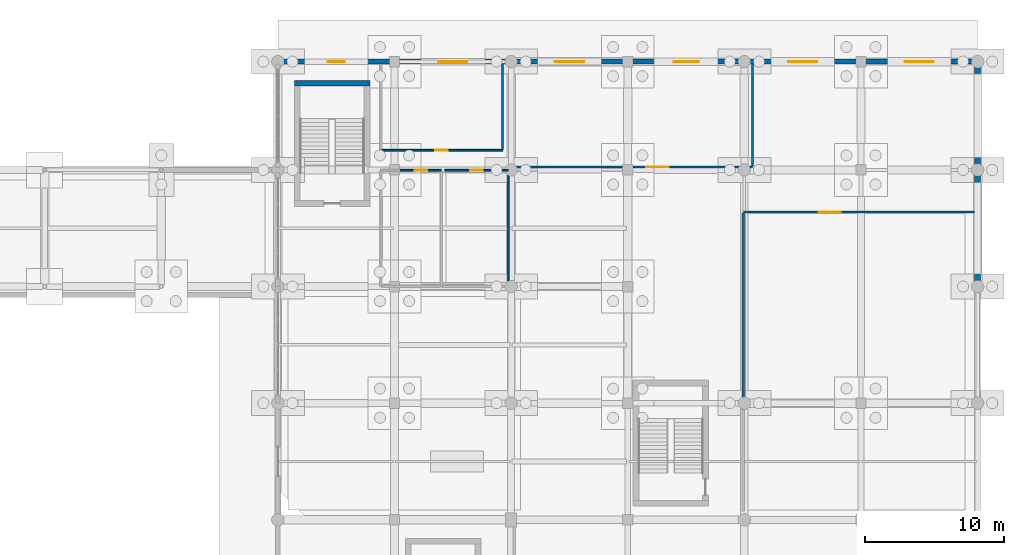
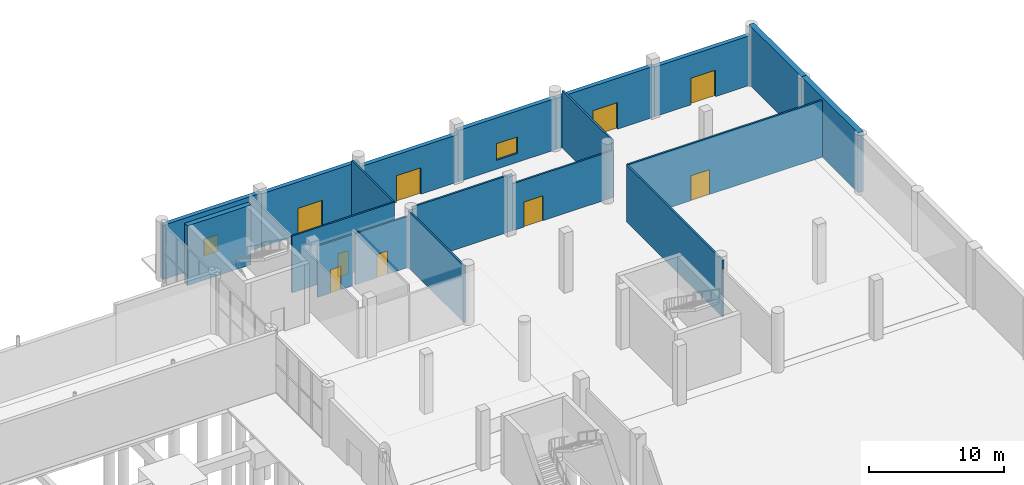
# One storey, part 73 of 82: 19 walls, 9 doors, 2 windows, 11 openings.
"""IFC4 building model written with IfcOpenShell, lengths in metres."""

from ifc_helpers import new_model, si_unit, derived_unit, direction, frame, frame_2d, origin, place, context, subcontext, project, spatial, rectangle, extrude, material, layer, layer_set, type_object, element, fill, save


model = new_model("IFC4")

# Units and contexts
model_context = context("Model", 3, precision=1e-05, world=origin(), true_north=direction((0.0, 1.0)))
body_context = subcontext(model_context, "Body", "Model", "MODEL_VIEW")
ifc_project = project(units=[si_unit("LENGTHUNIT", "METRE"), si_unit("AREAUNIT", "SQUARE_METRE"), si_unit("VOLUMEUNIT", "CUBIC_METRE"), si_unit("PLANEANGLEUNIT", "RADIAN"), si_unit("MASSUNIT", "GRAM", prefix="KILO"), derived_unit("THERMALTRANSMITTANCEUNIT", [(si_unit("POWERUNIT", "WATT"), 1), (si_unit("LENGTHUNIT", "METRE"), -2), (si_unit("THERMODYNAMICTEMPERATUREUNIT", "KELVIN"), -1)])], contexts=[model_context])

# Site, building, storey
site_placement = place(None, origin())
site = spatial("IfcSite", under=ifc_project, at=site_placement, CompositionType="ELEMENT")
building_placement = place(site_placement, origin())
building = spatial("IfcBuilding", under=site, at=building_placement, Name="Barrovel Congress Hotel", CompositionType="ELEMENT")
storey_placement = place(building_placement, origin())
storey = spatial("IfcBuildingStorey", under=building, at=storey_placement, Name="L00", CompositionType="ELEMENT", Elevation=0.0)

# Wall, opening, door
ifc_material_1 = material(Name="Fired Clay Brick Masonry", Category="masonry")
ifc_layer_1 = layer(ifc_material_1, 0.360107421875)
ifc_layer_set_1 = layer_set([ifc_layer_1], Name="Fired Clay Brick Masonry")
wall_type_1 = type_object("IfcWallType", Name="EW-BRK360", PredefinedType="STANDARD", material=ifc_layer_set_1)
wall_1_placement = place(storey_placement, frame((176.39990234375, 112.800048828125, 0.0), z_axis=(0.0, 0.0, 1.0), x_axis=(-1.0, 0.0, 0.0)))
wall_1 = element("IfcWall", 1, at=wall_1_placement, inside=storey, type_object=wall_type_1, Name="EW:L00:V3N:20", PredefinedType="STANDARD", context=body_context, shape_type="SweptSolid", body=[
    extrude(rectangle(XDim=8.39990234375, YDim=0.360107421875, at=frame_2d((4.199951171875, 0.0))), origin(), (0.0, 0.0, 1.0), 4.489990234375),
])
opening_1_placement = place(wall_1_placement, frame((5.25, 0.0, 0.0), z_axis=(0.0, 0.0, 1.0), x_axis=(-1.0, 0.0, 0.0)))
opening_1 = element("IfcOpeningElement", 2, at=opening_1_placement, cuts=wall_1, Name="Opening ED-01", PredefinedType="OPENING", context=body_context, shape_type="SweptSolid", body=[
    extrude(rectangle(XDim=2.10009765625, YDim=2.39990234375, at=frame_2d((1.050048828125, 1.199951171875))), frame((0.0, 0.18994140625, 0.0), z_axis=(0.0, -1.0, 0.0), x_axis=(1.0, 0.0, 0.0)), (0.0, 0.0, 1.0), 0.380126953125),
])
ifc_material_2 = material(Name="Anodised Aluminium Glazed Door", Category="aluminium")
door_type_1 = type_object("IfcDoorType", Name="EDR-ED-01", OperationType="NOTDEFINED", PredefinedType="DOOR", material=ifc_material_2)
door_1_placement = place(opening_1_placement, origin())
door_1 = element("IfcDoor", 3, at=door_1_placement, inside=storey, type_object=door_type_1, Name="Grade Exit Door E-23", OperationType="DOUBLE_DOOR_SINGLE_SWING", OverallHeight=2.39990234375, OverallWidth=2.10009765625, PredefinedType="DOOR", context=body_context, shape_type="SweptSolid", body=[
    extrude(rectangle(XDim=2.10009765625, YDim=2.39990234375, at=frame_2d((1.050048828125, 1.199951171875))), frame((0.0, 0.02490234375, 0.0), z_axis=(0.0, -1.0, 0.0), x_axis=(1.0, 0.0, 0.0)), (0.0, 0.0, 1.0), 0.050048828125),
])
fill(opening_1, door_1)

wall_2_placement = place(storey_placement, frame((168.0, 112.800048828125, 0.0), z_axis=(0.0, 0.0, 1.0), x_axis=(-1.0, 0.0, 0.0)))
wall_2 = element("IfcWall", 4, at=wall_2_placement, inside=storey, type_object=wall_type_1, Name="EW:L00:V3N:19", PredefinedType="STANDARD", context=body_context, shape_type="SweptSolid", body=[
    extrude(rectangle(XDim=8.39990234375, YDim=0.360107421875, at=frame_2d((4.199951171875, 0.0))), origin(), (0.0, 0.0, 1.0), 4.60693359375),
])
opening_2_placement = place(wall_2_placement, frame((5.25, 0.0, 0.0), z_axis=(0.0, 0.0, 1.0), x_axis=(-1.0, 0.0, 0.0)))
opening_2 = element("IfcOpeningElement", 5, at=opening_2_placement, cuts=wall_2, Name="Opening ED-01", PredefinedType="OPENING", context=body_context, shape_type="SweptSolid", body=[
    extrude(rectangle(XDim=2.10009765625, YDim=2.39990234375, at=frame_2d((1.050048828125, 1.199951171875))), frame((0.0, 0.18994140625, 0.0), z_axis=(0.0, -1.0, 0.0), x_axis=(1.0, 0.0, 0.0)), (0.0, 0.0, 1.0), 0.380126953125),
])
door_2_placement = place(opening_2_placement, origin())
door_2 = element("IfcDoor", 6, at=door_2_placement, inside=storey, type_object=door_type_1, Name="Grade Exit Door E-22", OperationType="DOUBLE_DOOR_SINGLE_SWING", OverallHeight=2.39990234375, OverallWidth=2.10009765625, PredefinedType="DOOR", context=body_context, shape_type="SweptSolid", body=[
    extrude(rectangle(XDim=2.10009765625, YDim=2.39990234375, at=frame_2d((1.050048828125, 1.199951171875))), frame((0.0, 0.02490234375, 0.0), z_axis=(0.0, -1.0, 0.0), x_axis=(1.0, 0.0, 0.0)), (0.0, 0.0, 1.0), 0.050048828125),
])
fill(opening_2, door_2)

# Wall, opening, window
wall_3_placement = place(storey_placement, frame((159.60009765625, 112.800048828125, 0.0), z_axis=(0.0, 0.0, 1.0), x_axis=(-1.0, 0.0, 0.0)))
wall_3 = element("IfcWall", 7, at=wall_3_placement, inside=storey, type_object=wall_type_1, Name="EW:L00:V3N:18", PredefinedType="STANDARD", context=body_context, shape_type="SweptSolid", body=[
    extrude(rectangle(XDim=8.400146484375, YDim=0.360107421875, at=frame_2d((4.2001953125, 0.0))), origin(), (0.0, 0.0, 1.0), 4.639892578125),
])
opening_3_placement = place(wall_3_placement, frame((3.300048828125, 0.0, 0.800048828125)))
opening_3 = element("IfcOpeningElement", 8, at=opening_3_placement, cuts=wall_3, Name="Opening WN-03", PredefinedType="OPENING", context=body_context, shape_type="SweptSolid", body=[
    extrude(rectangle(XDim=1.800048828125, YDim=1.5, at=frame_2d((0.89990234375, 0.75))), frame((0.0, 0.18994140625, 0.0), z_axis=(0.0, -1.0, 0.0), x_axis=(1.0, 0.0, 0.0)), (0.0, 0.0, 1.0), 0.380126953125),
])
ifc_material_3 = material(Name="Double Low-E Insulated Glazing", Category="glass")
window_type_1 = type_object("IfcWindowType", Name="WIN-WN-03", PartitioningType="SINGLE_PANEL", PredefinedType="WINDOW", material=ifc_material_3)
window_1_placement = place(opening_3_placement, origin())
window_1 = element("IfcWindow", 9, at=window_1_placement, inside=storey, type_object=window_type_1, Name="WIN:L00:V3N:18", OverallHeight=1.5, OverallWidth=1.800048828125, PartitioningType="SINGLE_PANEL", PredefinedType="WINDOW", context=body_context, shape_type="SweptSolid", body=[
    extrude(rectangle(XDim=1.800048828125, YDim=1.5, at=frame_2d((0.89990234375, 0.75))), frame((0.0, 0.030029296875, 0.0), z_axis=(0.0, -1.0, 0.0), x_axis=(1.0, 0.0, 0.0)), (0.0, 0.0, 1.0), 0.06005859375),
])
fill(opening_3, window_1)

# Wall, opening, door
wall_4_placement = place(storey_placement, frame((151.199951171875, 112.800048828125, 0.0), z_axis=(0.0, 0.0, 1.0), x_axis=(-1.0, 0.0, 0.0)))
wall_4 = element("IfcWall", 10, at=wall_4_placement, inside=storey, type_object=wall_type_1, Name="EW:L00:V3N:17", PredefinedType="STANDARD", context=body_context, shape_type="SweptSolid", body=[
    extrude(rectangle(XDim=8.39990234375, YDim=0.360107421875, at=frame_2d((4.199951171875, 0.0))), origin(), (0.0, 0.0, 1.0), 4.2900390625),
])
opening_4_placement = place(wall_4_placement, frame((5.25, 0.0, 0.0), z_axis=(0.0, 0.0, 1.0), x_axis=(-1.0, 0.0, 0.0)))
opening_4 = element("IfcOpeningElement", 11, at=opening_4_placement, cuts=wall_4, Name="Opening ED-01", PredefinedType="OPENING", context=body_context, shape_type="SweptSolid", body=[
    extrude(rectangle(XDim=2.10009765625, YDim=2.39990234375, at=frame_2d((1.050048828125, 1.199951171875))), frame((0.0, 0.18994140625, 0.0), z_axis=(0.0, -1.0, 0.0), x_axis=(1.0, 0.0, 0.0)), (0.0, 0.0, 1.0), 0.380126953125),
])
door_3_placement = place(opening_4_placement, origin())
door_3 = element("IfcDoor", 12, at=door_3_placement, inside=storey, type_object=door_type_1, Name="Grade Exit Door E-21", OperationType="DOUBLE_DOOR_SINGLE_SWING", OverallHeight=2.39990234375, OverallWidth=2.10009765625, PredefinedType="DOOR", context=body_context, shape_type="SweptSolid", body=[
    extrude(rectangle(XDim=2.10009765625, YDim=2.39990234375, at=frame_2d((1.050048828125, 1.199951171875))), frame((0.0, 0.02490234375, 0.0), z_axis=(0.0, -1.0, 0.0), x_axis=(1.0, 0.0, 0.0)), (0.0, 0.0, 1.0), 0.050048828125),
])
fill(opening_4, door_3)

wall_5_placement = place(storey_placement, frame((142.800048828125, 112.800048828125, 0.0), z_axis=(0.0, 0.0, 1.0), x_axis=(-1.0, 0.0, 0.0)))
wall_5 = element("IfcWall", 13, at=wall_5_placement, inside=storey, type_object=wall_type_1, Name="EW:L00:V3N:16", PredefinedType="STANDARD", context=body_context, shape_type="SweptSolid", body=[
    extrude(rectangle(XDim=8.400146484375, YDim=0.360107421875, at=frame_2d((4.2001953125, 0.0))), origin(), (0.0, 0.0, 1.0), 4.785888671875),
])
opening_5_placement = place(wall_5_placement, frame((5.25, 0.0, 0.0), z_axis=(0.0, 0.0, 1.0), x_axis=(-1.0, 0.0, 0.0)))
opening_5 = element("IfcOpeningElement", 14, at=opening_5_placement, cuts=wall_5, Name="Opening ED-01", PredefinedType="OPENING", context=body_context, shape_type="SweptSolid", body=[
    extrude(rectangle(XDim=2.10009765625, YDim=2.39990234375, at=frame_2d((1.050048828125, 1.199951171875))), frame((0.0, 0.18994140625, 0.0), z_axis=(0.0, -1.0, 0.0), x_axis=(1.0, 0.0, 0.0)), (0.0, 0.0, 1.0), 0.380126953125),
])
door_4_placement = place(opening_5_placement, origin())
door_4 = element("IfcDoor", 15, at=door_4_placement, inside=storey, type_object=door_type_1, Name="Grade Exit Door E-20", OperationType="DOUBLE_DOOR_SINGLE_SWING", OverallHeight=2.39990234375, OverallWidth=2.10009765625, PredefinedType="DOOR", context=body_context, shape_type="SweptSolid", body=[
    extrude(rectangle(XDim=2.10009765625, YDim=2.39990234375, at=frame_2d((1.050048828125, 1.199951171875))), frame((0.0, 0.02490234375, 0.0), z_axis=(0.0, -1.0, 0.0), x_axis=(1.0, 0.0, 0.0)), (0.0, 0.0, 1.0), 0.050048828125),
])
fill(opening_5, door_4)

# Wall, opening, window
wall_6_placement = place(storey_placement, frame((134.39990234375, 112.800048828125, 0.0), z_axis=(0.0, 0.0, 1.0), x_axis=(-1.0, 0.0, 0.0)))
wall_6 = element("IfcWall", 16, at=wall_6_placement, inside=storey, type_object=wall_type_1, Name="EW:L00:V3N:15", PredefinedType="STANDARD", context=body_context, shape_type="SweptSolid", body=[
    extrude(rectangle(XDim=8.39990234375, YDim=0.360107421875, at=frame_2d((4.199951171875, 0.0))), origin(), (0.0, 0.0, 1.0), 4.89306640625),
])
opening_6_placement = place(wall_6_placement, frame((3.60009765625, 0.0, 0.800048828125)))
opening_6 = element("IfcOpeningElement", 17, at=opening_6_placement, cuts=wall_6, Name="Opening WN-06", PredefinedType="OPENING", context=body_context, shape_type="SweptSolid", body=[
    extrude(rectangle(XDim=1.199951171875, YDim=1.5, at=frame_2d((0.60009765625, 0.75))), frame((0.0, 0.18994140625, 0.0), z_axis=(0.0, -1.0, 0.0), x_axis=(1.0, 0.0, 0.0)), (0.0, 0.0, 1.0), 0.380126953125),
])
window_type_2 = type_object("IfcWindowType", Name="WIN-WN-06", PartitioningType="SINGLE_PANEL", PredefinedType="WINDOW", material=ifc_material_3)
window_2_placement = place(opening_6_placement, origin())
window_2 = element("IfcWindow", 18, at=window_2_placement, inside=storey, type_object=window_type_2, Name="WIN:L00:V3N:15", OverallHeight=1.5, OverallWidth=1.199951171875, PartitioningType="SINGLE_PANEL", PredefinedType="WINDOW", context=body_context, shape_type="SweptSolid", body=[
    extrude(rectangle(XDim=1.199951171875, YDim=1.5, at=frame_2d((0.60009765625, 0.75))), frame((0.0, 0.030029296875, 0.0), z_axis=(0.0, -1.0, 0.0), x_axis=(1.0, 0.0, 0.0)), (0.0, 0.0, 1.0), 0.06005859375),
])
fill(opening_6, window_2)

# Walls
ifc_layer_2 = layer(ifc_material_1, 0.449951171875)
ifc_layer_set_2 = layer_set([ifc_layer_2], Name="Fired Clay Brick Masonry")
wall_type_2 = type_object("IfcWallType", Name="EW-PW450", PredefinedType="STANDARD", material=ifc_layer_set_2)
wall_7_placement = place(storey_placement, frame((176.39990234375, 96.60009765625, 0.0), z_axis=(0.0, 0.0, 1.0), x_axis=(0.0, 1.0, 0.0)))
element("IfcWall", 19, at=wall_7_placement, inside=storey, type_object=wall_type_2, Name="EW:L00:PARTY:96.6", PredefinedType="STANDARD", context=body_context, shape_type="SweptSolid", body=[
    extrude(rectangle(XDim=8.39990234375, YDim=0.449951171875, at=frame_2d((4.199951171875, 0.0))), origin(), (0.0, 0.0, 1.0), 5.39990234375),
])
wall_8_placement = place(storey_placement, frame((176.39990234375, 105.0, 0.0), z_axis=(0.0, 0.0, 1.0), x_axis=(0.0, 1.0, 0.0)))
element("IfcWall", 20, at=wall_8_placement, inside=storey, type_object=wall_type_2, Name="EW:L00:PARTY:105.0", PredefinedType="STANDARD", context=body_context, shape_type="SweptSolid", body=[
    extrude(rectangle(XDim=7.800048828125, YDim=0.449951171875, at=frame_2d((3.89990234375, 0.0))), origin(), (0.0, 0.0, 1.0), 5.39990234375),
])

# Wall, opening, door
ifc_material_4 = material(Name="Gypsum Acoustic Stud", Category="gypsum")
ifc_layer_3 = layer(ifc_material_4, 0.14990234375)
ifc_layer_set_3 = layer_set([ifc_layer_3], Name="Gypsum Acoustic Stud")
wall_type_3 = type_object("IfcWallType", Name="PW-STD-150", PredefinedType="PARTITIONING", material=ifc_layer_set_3)
wall_9_placement = place(storey_placement, frame((159.52001953125, 101.97998046875, 0.0), z_axis=(0.0, 0.0, 1.0), x_axis=(1.0, 0.0, 0.0)))
wall_9 = element("IfcWall", 21, at=wall_9_placement, inside=storey, type_object=wall_type_3, Name="RW:SP:L00:POOL:N", PredefinedType="PARTITIONING", context=body_context, shape_type="SweptSolid", body=[
    extrude(rectangle(XDim=16.655029296875, YDim=0.14990234375, at=frame_2d((8.32763671875, 0.0))), origin(), (0.0, 0.0, 1.0), 5.135009765625),
])
opening_7_placement = place(wall_9_placement, frame((5.427490234375, 0.0, 0.0)))
opening_7 = element("IfcOpeningElement", 22, at=opening_7_placement, cuts=wall_9, Name="Opening ID-MTG", PredefinedType="OPENING", context=body_context, shape_type="SweptSolid", body=[
    extrude(rectangle(XDim=1.60009765625, YDim=2.25, at=frame_2d((0.800048828125, 1.125))), frame((0.0, 0.0849609375, 0.0), z_axis=(0.0, -1.0, 0.0), x_axis=(1.0, 0.0, 0.0)), (0.0, 0.0, 1.0), 0.169921875),
])
ifc_material_5 = material(Name="Solid Oak Acoustic Timber Door", Category="wood")
door_type_2 = type_object("IfcDoorType", Name="IDR-ID-MTG", OperationType="NOTDEFINED", PredefinedType="DOOR", material=ifc_material_5)
door_5_placement = place(opening_7_placement, origin())
door_5 = element("IfcDoor", 23, at=door_5_placement, inside=storey, type_object=door_type_2, Name="RD:SP:L00:POOL", OperationType="DOUBLE_DOOR_SINGLE_SWING", OverallHeight=2.25, OverallWidth=1.60009765625, PredefinedType="DOOR", context=body_context, shape_type="SweptSolid", body=[
    extrude(rectangle(XDim=1.60009765625, YDim=2.25, at=frame_2d((0.800048828125, 1.125))), frame((0.0, 0.02490234375, 0.0), z_axis=(0.0, -1.0, 0.0), x_axis=(1.0, 0.0, 0.0)), (0.0, 0.0, 1.0), 0.050048828125),
])
fill(opening_7, door_5)

# Wall
wall_10_placement = place(storey_placement, frame((159.52001953125, 87.75, 0.0), z_axis=(0.0, 0.0, 1.0), x_axis=(0.0, 1.0, 0.0)))
element("IfcWall", 24, at=wall_10_placement, inside=storey, type_object=wall_type_3, Name="RW:SP:L00:POOL:W", PredefinedType="PARTITIONING", context=body_context, shape_type="SweptSolid", body=[
    extrude(rectangle(XDim=14.155029296875, YDim=0.14990234375, at=frame_2d((7.07763671875, 0.0))), origin(), (0.0, 0.0, 1.0), 5.135009765625),
])

# Wall, opening, door
wall_11_placement = place(storey_placement, frame((151.574951171875, 105.219970703125, 0.0), z_axis=(0.0, 0.0, 1.0), x_axis=(1.0, 0.0, 0.0)))
wall_11 = element("IfcWall", 25, at=wall_11_placement, inside=storey, type_object=wall_type_3, Name="RW:SP:L00:POOL-PL:S", PredefinedType="PARTITIONING", context=body_context, shape_type="SweptSolid", body=[
    extrude(rectangle(XDim=8.60498046875, YDim=0.14990234375, at=frame_2d((4.302490234375, 0.0))), origin(), (0.0, 0.0, 1.0), 4.239990234375),
])
opening_8_placement = place(wall_11_placement, frame((0.97509765625, 0.0, 0.0)))
opening_8 = element("IfcOpeningElement", 26, at=opening_8_placement, cuts=wall_11, Name="Opening ID-MTG", PredefinedType="OPENING", context=body_context, shape_type="SweptSolid", body=[
    extrude(rectangle(XDim=1.60009765625, YDim=2.25, at=frame_2d((0.800048828125, 1.125))), frame((0.0, 0.0849609375, 0.0), z_axis=(0.0, -1.0, 0.0), x_axis=(1.0, 0.0, 0.0)), (0.0, 0.0, 1.0), 0.169921875),
])
door_6_placement = place(opening_8_placement, origin())
door_6 = element("IfcDoor", 27, at=door_6_placement, inside=storey, type_object=door_type_2, Name="RD:SP:L00:POOL-PL", OperationType="DOUBLE_DOOR_SINGLE_SWING", OverallHeight=2.25, OverallWidth=1.60009765625, PredefinedType="DOOR", context=body_context, shape_type="SweptSolid", body=[
    extrude(rectangle(XDim=1.60009765625, YDim=2.25, at=frame_2d((0.800048828125, 1.125))), frame((0.0, 0.02490234375, 0.0), z_axis=(0.0, -1.0, 0.0), x_axis=(1.0, 0.0, 0.0)), (0.0, 0.0, 1.0), 0.050048828125),
])
fill(opening_8, door_6)

# Walls
wall_12_placement = place(storey_placement, frame((160.179931640625, 105.294921875, 0.0), z_axis=(0.0, 0.0, 1.0), x_axis=(0.0, 1.0, 0.0)))
element("IfcWall", 28, at=wall_12_placement, inside=storey, type_object=wall_type_3, Name="RW:SP:L00:POOL-PL:E", PredefinedType="PARTITIONING", context=body_context, shape_type="SweptSolid", body=[
    extrude(rectangle(XDim=7.3251953125, YDim=0.14990234375, at=frame_2d((3.66259765625, 0.0))), origin(), (0.0, 0.0, 1.0), 5.135009765625),
])
wall_13_placement = place(storey_placement, frame((143.02001953125, 105.219970703125, 0.0), z_axis=(0.0, 0.0, 1.0), x_axis=(1.0, 0.0, 0.0)))
element("IfcWall", 29, at=wall_13_placement, inside=storey, type_object=wall_type_3, Name="RW:SP:L00:POOL-PL:S:P01", PredefinedType="PARTITIONING", context=body_context, shape_type="SweptSolid", body=[
    extrude(rectangle(XDim=8.554931640625, YDim=0.14990234375, at=frame_2d((4.27734375, 0.0))), origin(), (0.0, 0.0, 1.0), 5.135009765625),
])

# Wall, opening, door
ifc_material_6 = material(Name="Gypsum Moisture Board", Category="gypsum")
ifc_layer_4 = layer(ifc_material_6, 0.139892578125)
ifc_layer_set_4 = layer_set([ifc_layer_4], Name="Gypsum Moisture Board")
wall_type_4 = type_object("IfcWallType", Name="PW-WET-140", PredefinedType="PARTITIONING", material=ifc_layer_set_4)
wall_14_placement = place(storey_placement, frame((134.77490234375, 104.97998046875, 0.0), z_axis=(0.0, 0.0, 1.0), x_axis=(1.0, 0.0, 0.0)))
wall_14 = element("IfcWall", 30, at=wall_14_placement, inside=storey, type_object=wall_type_4, Name="RW:SP:L00:SAUNA:N", PredefinedType="PARTITIONING", context=body_context, shape_type="SweptSolid", body=[
    extrude(rectangle(XDim=3.005126953125, YDim=0.139892578125, at=frame_2d((1.50244140625, 0.0))), origin(), (0.0, 0.0, 1.0), 4.639892578125),
])
opening_9_placement = place(wall_14_placement, frame((1.074951171875, 0.0, 0.0)))
opening_9 = element("IfcOpeningElement", 31, at=opening_9_placement, cuts=wall_14, Name="Opening ID-WC1", PredefinedType="OPENING", context=body_context, shape_type="SweptSolid", body=[
    extrude(rectangle(XDim=0.89990234375, YDim=2.1201171875, at=frame_2d((0.449951171875, 1.06005859375))), frame((0.0, 0.080078125, 0.0), z_axis=(0.0, -1.0, 0.0), x_axis=(1.0, 0.0, 0.0)), (0.0, 0.0, 1.0), 0.159912109375),
])
ifc_material_7 = material(Name="Lacquered Timber Moisture Door", Category="wood")
door_type_3 = type_object("IfcDoorType", Name="IDR-ID-WC1", OperationType="NOTDEFINED", PredefinedType="DOOR", material=ifc_material_7)
door_7_placement = place(opening_9_placement, origin())
door_7 = element("IfcDoor", 32, at=door_7_placement, inside=storey, type_object=door_type_3, Name="RD:SP:L00:SAUNA", OperationType="SINGLE_SWING_RIGHT", OverallHeight=2.1201171875, OverallWidth=0.89990234375, PredefinedType="DOOR", context=body_context, shape_type="SweptSolid", body=[
    extrude(rectangle(XDim=0.89990234375, YDim=2.1201171875, at=frame_2d((0.449951171875, 1.06005859375))), frame((0.0, 0.02490234375, 0.0), z_axis=(0.0, -1.0, 0.0), x_axis=(1.0, 0.0, 0.0)), (0.0, 0.0, 1.0), 0.050048828125),
])
fill(opening_9, door_7)

wall_15_placement = place(storey_placement, frame((138.02001953125, 104.97998046875, 0.0), z_axis=(0.0, 0.0, 1.0), x_axis=(1.0, 0.0, 0.0)))
wall_15 = element("IfcWall", 33, at=wall_15_placement, inside=storey, type_object=wall_type_4, Name="RW:SP:L00:STEAM:N", PredefinedType="PARTITIONING", context=body_context, shape_type="SweptSolid", body=[
    extrude(rectangle(XDim=4.56005859375, YDim=0.139892578125, at=frame_2d((2.280029296875, 0.0))), origin(), (0.0, 0.0, 1.0), 4.639892578125),
])
opening_10_placement = place(wall_15_placement, frame((1.830078125, 0.0, 0.0)))
opening_10 = element("IfcOpeningElement", 34, at=opening_10_placement, cuts=wall_15, Name="Opening ID-WC1", PredefinedType="OPENING", context=body_context, shape_type="SweptSolid", body=[
    extrude(rectangle(XDim=0.89990234375, YDim=2.1201171875, at=frame_2d((0.449951171875, 1.06005859375))), frame((0.0, 0.080078125, 0.0), z_axis=(0.0, -1.0, 0.0), x_axis=(1.0, 0.0, 0.0)), (0.0, 0.0, 1.0), 0.159912109375),
])
door_8_placement = place(opening_10_placement, origin())
door_8 = element("IfcDoor", 35, at=door_8_placement, inside=storey, type_object=door_type_3, Name="RD:SP:L00:STEAM", OperationType="SINGLE_SWING_LEFT", OverallHeight=2.1201171875, OverallWidth=0.89990234375, PredefinedType="DOOR", context=body_context, shape_type="SweptSolid", body=[
    extrude(rectangle(XDim=0.89990234375, YDim=2.1201171875, at=frame_2d((0.449951171875, 1.06005859375))), frame((0.0, 0.02490234375, 0.0), z_axis=(0.0, -1.0, 0.0), x_axis=(1.0, 0.0, 0.0)), (0.0, 0.0, 1.0), 0.050048828125),
])
fill(opening_10, door_8)

# Wall
wall_16_placement = place(storey_placement, frame((142.580078125, 96.6201171875, 0.0), z_axis=(0.0, 0.0, 1.0), x_axis=(0.0, 1.0, 0.0)))
element("IfcWall", 36, at=wall_16_placement, inside=storey, type_object=wall_type_4, Name="RW:SP:L00:STEAM:E", PredefinedType="PARTITIONING", context=body_context, shape_type="SweptSolid", body=[
    extrude(rectangle(XDim=8.289794921875, YDim=0.139892578125, at=frame_2d((4.14501953125, 0.0))), origin(), (0.0, 0.0, 1.0), 5.135009765625),
])

# Wall, opening, door
wall_17_placement = place(storey_placement, frame((133.419921875, 106.419921875, 0.0), z_axis=(0.0, 0.0, 1.0), x_axis=(1.0, 0.0, 0.0)))
wall_17 = element("IfcWall", 37, at=wall_17_placement, inside=storey, type_object=wall_type_4, Name="RW:SP:L00:SPA-WC:S", PredefinedType="PARTITIONING", context=body_context, shape_type="SweptSolid", body=[
    extrude(rectangle(XDim=8.760009765625, YDim=0.139892578125, at=frame_2d((4.3798828125, 0.0))), origin(), (0.0, 0.0, 1.0), 5.135009765625),
])
opening_11_placement = place(wall_17_placement, frame((3.929931640625, 0.0, 0.0)))
opening_11 = element("IfcOpeningElement", 38, at=opening_11_placement, cuts=wall_17, Name="Opening ID-WC1", PredefinedType="OPENING", context=body_context, shape_type="SweptSolid", body=[
    extrude(rectangle(XDim=0.89990234375, YDim=2.1201171875, at=frame_2d((0.449951171875, 1.06005859375))), frame((0.0, 0.080078125, 0.0), z_axis=(0.0, -1.0, 0.0), x_axis=(1.0, 0.0, 0.0)), (0.0, 0.0, 1.0), 0.159912109375),
])
door_9_placement = place(opening_11_placement, origin())
door_9 = element("IfcDoor", 39, at=door_9_placement, inside=storey, type_object=door_type_3, Name="RD:SP:L00:SPA-WC", OperationType="SINGLE_SWING_RIGHT", OverallHeight=2.1201171875, OverallWidth=0.89990234375, PredefinedType="DOOR", context=body_context, shape_type="SweptSolid", body=[
    extrude(rectangle(XDim=0.89990234375, YDim=2.1201171875, at=frame_2d((0.449951171875, 1.06005859375))), frame((0.0, 0.02490234375, 0.0), z_axis=(0.0, -1.0, 0.0), x_axis=(1.0, 0.0, 0.0)), (0.0, 0.0, 1.0), 0.050048828125),
])
fill(opening_11, door_9)

# Walls
wall_18_placement = place(storey_placement, frame((142.179931640625, 106.489990234375, 0.0), z_axis=(0.0, 0.0, 1.0), x_axis=(0.0, 1.0, 0.0)))
element("IfcWall", 40, at=wall_18_placement, inside=storey, type_object=wall_type_4, Name="RW:SP:L00:SPA-WC:E", PredefinedType="PARTITIONING", context=body_context, shape_type="SweptSolid", body=[
    extrude(rectangle(XDim=6.130126953125, YDim=0.139892578125, at=frame_2d((3.06494140625, 0.0))), origin(), (0.0, 0.0, 1.0), 5.135009765625),
])
ifc_material_8 = material(Name="Concrete C50", Category="concrete")
ifc_layer_5 = layer(ifc_material_8, 0.419921875)
ifc_layer_set_5 = layer_set([ifc_layer_5], Name="Concrete C50")
wall_type_5 = type_object("IfcWallType", Name="SW-C50-420", PredefinedType="SHEAR", material=ifc_layer_set_5)
wall_19_placement = place(storey_placement, frame((132.6201171875, 111.25, 0.0), z_axis=(0.0, 0.0, 1.0), x_axis=(-1.0, 0.0, 0.0)))
element("IfcWall", 41, at=wall_19_placement, inside=storey, type_object=wall_type_5, Name="SHW:XS-10:L00:N", PredefinedType="SHEAR", context=body_context, shape_type="SweptSolid", body=[
    extrude(rectangle(XDim=5.440185546875, YDim=0.419921875, at=frame_2d((2.72021484375, 0.0))), origin(), (0.0, 0.0, 1.0), 5.39990234375),
])

save(model, "model.ifc")
